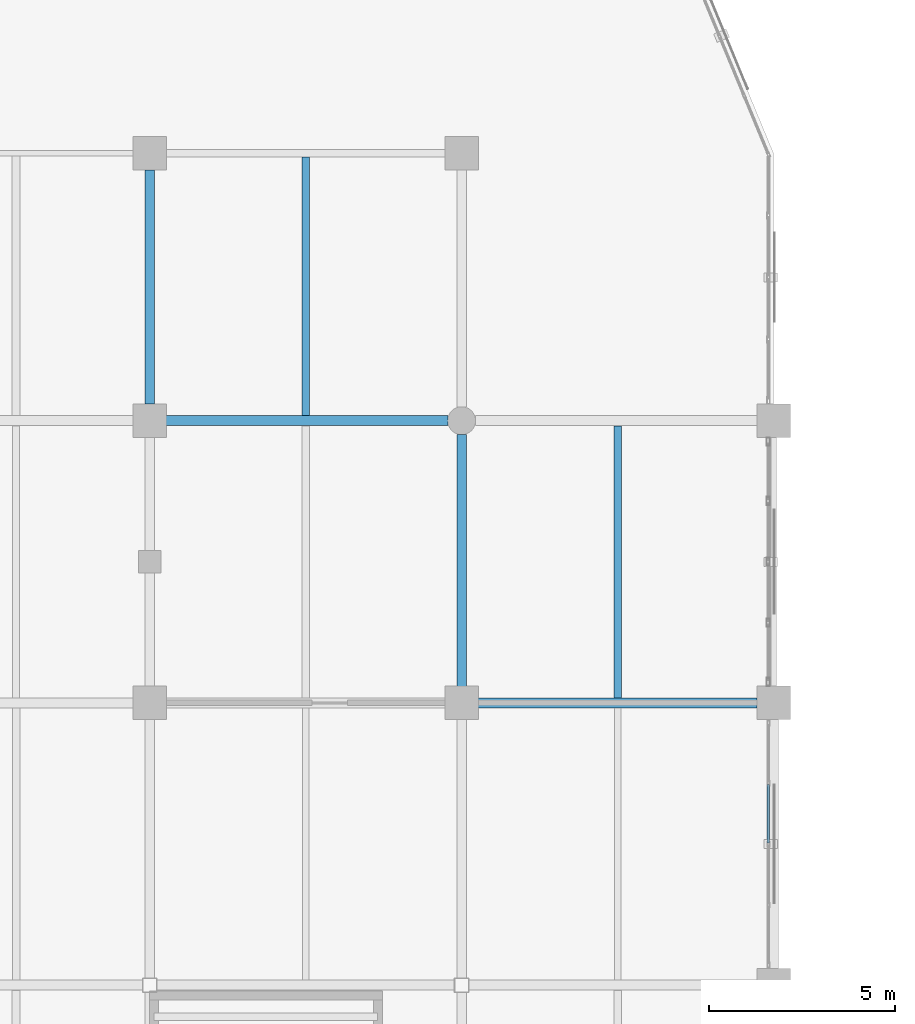
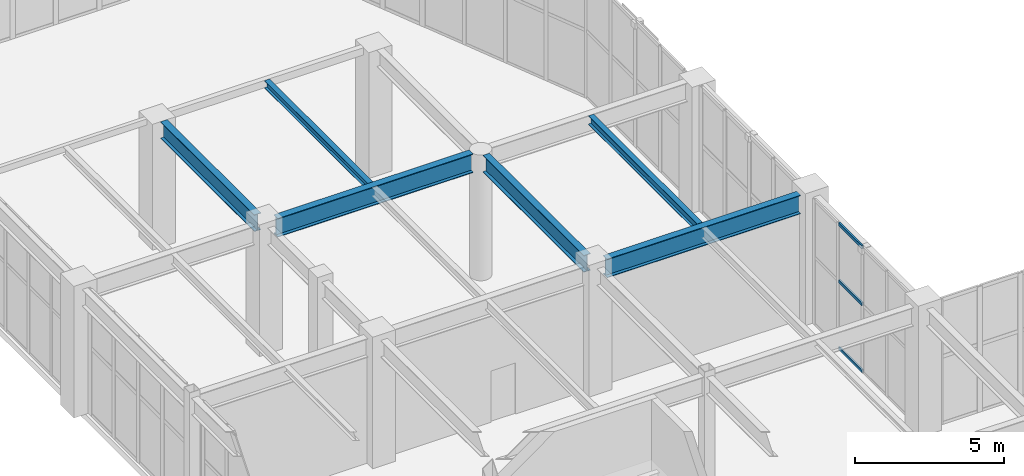
# One storey, part 49 of 139: 6 beams, 3 members, 1 element without a shape of its own.
"""IFC4 building model written with IfcOpenShell, lengths in metres."""

from ifc_helpers import new_model, si_unit, direction, frame, origin, origin_2d, place, context, subcontext, project, spatial, hollow_rectangle, i_section, extrude, material, layer, layer_set, material_profile, profile_set, type_object, element, aggregate, save


model = new_model("IFC4")

# Units and contexts
model_context = context("Model", 3, precision=1e-05, world=origin(), true_north=direction((0.0, 1.0)))
body_context = subcontext(model_context, "Body", "Model", "MODEL_VIEW")
ifc_project = project(units=[si_unit("LENGTHUNIT", "METRE"), si_unit("AREAUNIT", "SQUARE_METRE"), si_unit("VOLUMEUNIT", "CUBIC_METRE"), si_unit("PLANEANGLEUNIT", "RADIAN"), si_unit("MASSUNIT", "GRAM", prefix="KILO")], contexts=[model_context])

# Site, building, storey
site_placement = place(None, origin())
site = spatial("IfcSite", under=ifc_project, at=site_placement, CompositionType="ELEMENT")
building_placement = place(site_placement, origin())
building = spatial("IfcBuilding", under=site, at=building_placement, Name="Xicomal Pleat Aquarium", CompositionType="ELEMENT")
storey_placement = place(building_placement, origin())
storey = spatial("IfcBuildingStorey", under=building, at=storey_placement, Name="L01", CompositionType="ELEMENT", Elevation=0.0)

# Beams
ifc_material_1 = material(Name="Structural steel A992 Gr 50", Category="steel")
ifc_material_profile_1 = material_profile(ifc_material_1, i_section(OverallWidth=0.202880859375, OverallDepth=0.302978515625, WebThickness=0.007568359375, FlangeThickness=0.01318359375, at=origin_2d()), Name="IR 310x60")
ifc_profile_set_1 = profile_set([ifc_material_profile_1], Name="Structural steel A992 Gr 50")
beam_type_1 = type_object("IfcBeamType", Name="BM-STL-IR310", PredefinedType="JOIST", material=ifc_profile_set_1)
beam_1_placement = place(storey_placement, frame((14.39990234375, 91.3369140625, 5.008544921875), z_axis=(0.0, 1.0, 0.0), x_axis=(-1.0, 0.0, 0.0)))
element("IfcBeam", 1, at=beam_1_placement, inside=storey, type_object=beam_type_1, Name="L01 framing beam FBJ-L01-02-N-1", PredefinedType="JOIST", context=body_context, shape_type="SweptSolid", body=[
    extrude(i_section(OverallWidth=0.202880859375, OverallDepth=0.302978515625, WebThickness=0.007568359375, FlangeThickness=0.01318359375, at=origin_2d()), origin(), (0.0, 0.0, 1.0), 6.960205078125),
])
ifc_material_2 = material(Name="Structural steel A992 Gr 50", Category="steel")
ifc_material_profile_2 = material_profile(ifc_material_2, i_section(OverallWidth=0.205078125, OverallDepth=0.35400390625, WebThickness=0.009521484375, FlangeThickness=0.016845703125, at=origin_2d()), Name="IR 360x79")
ifc_profile_set_2 = profile_set([ifc_material_profile_2], Name="Structural steel A992 Gr 50")
beam_type_2 = type_object("IfcBeamType", Name="BM-STL-IR360", PredefinedType="JOIST", material=ifc_profile_set_2)
beam_2_placement = place(storey_placement, frame((22.800048828125, 83.737060546875, 4.98291015625), z_axis=(0.0, 1.0, 0.0), x_axis=(-1.0, 0.0, 0.0)))
element("IfcBeam", 2, at=beam_2_placement, inside=storey, type_object=beam_type_2, Name="L01 framing beam FBJ-L01-03-M-1", PredefinedType="JOIST", context=body_context, shape_type="SweptSolid", body=[
    extrude(i_section(OverallWidth=0.205078125, OverallDepth=0.35400390625, WebThickness=0.009521484375, FlangeThickness=0.016845703125, at=origin_2d()), origin(), (0.0, 0.0, 1.0), 7.325927734375),
])
ifc_material_3 = material(Name="Structural steel A992 Gr 50", Category="steel")
ifc_material_profile_3 = material_profile(ifc_material_3, i_section(OverallWidth=0.256103515625, OverallDepth=0.693115234375, WebThickness=0.014404296875, FlangeThickness=0.023681640625, at=origin_2d()), Name="IR 690x170")
ifc_profile_set_3 = profile_set([ifc_material_profile_3], Name="Structural steel A992 Gr 50")
beam_type_3 = type_object("IfcBeamType", Name="BM-STL-IR690", PredefinedType="BEAM", material=ifc_profile_set_3)
beam_3_placement = place(storey_placement, frame((10.199951171875, 91.64501953125, 4.8134765625), z_axis=(0.0, 1.0, 0.0), x_axis=(-1.0, 0.0, 0.0)))
element("IfcBeam", 3, at=beam_3_placement, inside=storey, type_object=beam_type_3, Name="L01 framing beam FGY-L01-02-N-P", PredefinedType="BEAM", context=body_context, shape_type="SweptSolid", body=[
    extrude(i_section(OverallWidth=0.256103515625, OverallDepth=0.693115234375, WebThickness=0.014404296875, FlangeThickness=0.023681640625, at=origin_2d()), origin(), (0.0, 0.0, 1.0), 6.31005859375),
])
beam_4_placement = place(storey_placement, frame((18.60009765625, 84.044921875, 4.8134765625), z_axis=(0.0, 1.0, 0.0), x_axis=(-1.0, 0.0, 0.0)))
element("IfcBeam", 4, at=beam_4_placement, inside=storey, type_object=beam_type_3, Name="L01 framing beam FGY-L01-03-M-N", PredefinedType="BEAM", context=body_context, shape_type="SweptSolid", body=[
    extrude(i_section(OverallWidth=0.256103515625, OverallDepth=0.693115234375, WebThickness=0.014404296875, FlangeThickness=0.023681640625, at=origin_2d()), origin(), (0.0, 0.0, 1.0), 6.78515625),
])
ifc_material_4 = material(Name="Structural steel A992 Gr 50", Category="steel")
ifc_material_profile_4 = material_profile(ifc_material_4, i_section(OverallWidth=0.26806640625, OverallDepth=0.77001953125, WebThickness=0.015625, FlangeThickness=0.025390625, at=origin_2d()), Name="IR 760x196")
ifc_profile_set_4 = profile_set([ifc_material_profile_4], Name="Structural steel A992 Gr 50")
beam_type_4 = type_object("IfcBeamType", Name="BM-STL-IR760", PredefinedType="BEAM", material=ifc_profile_set_4)
beam_5_placement = place(storey_placement, frame((19.044921875, 83.60009765625, 4.77490234375), z_axis=(1.0, 0.0, 0.0), x_axis=(0.0, 1.0, 0.0)))
element("IfcBeam", 5, at=beam_5_placement, inside=storey, type_object=beam_type_4, Name="L01 framing beam FGX-L01-03-04-M", PredefinedType="BEAM", context=body_context, shape_type="SweptSolid", body=[
    extrude(i_section(OverallWidth=0.26806640625, OverallDepth=0.77001953125, WebThickness=0.015625, FlangeThickness=0.025390625, at=origin_2d()), origin(), (0.0, 0.0, 1.0), 7.510009765625),
])
beam_6_placement = place(storey_placement, frame((10.64501953125, 91.199951171875, 4.77490234375), z_axis=(1.0, 0.0, 0.0), x_axis=(0.0, 1.0, 0.0)))
element("IfcBeam", 6, at=beam_6_placement, inside=storey, type_object=beam_type_4, Name="L01 framing beam FGX-L01-02-03-N", PredefinedType="BEAM", context=body_context, shape_type="SweptSolid", body=[
    extrude(i_section(OverallWidth=0.26806640625, OverallDepth=0.77001953125, WebThickness=0.015625, FlangeThickness=0.025390625, at=origin_2d()), origin(), (0.0, 0.0, 1.0), 7.5849609375),
])

# Curtain wall, members
ifc_material_5 = material(Name="Bronze anodized aluminium 6063-T6", Category="aluminium")
ifc_layer = layer(ifc_material_5, 0.159912109375)
ifc_layer_set = layer_set([ifc_layer], Name="Bronze anodized aluminium 6063-T6")
curtain_wall_type = type_object("IfcCurtainWallType", Name="CW-SYS-01", PredefinedType="NOTDEFINED", material=ifc_layer_set)
curtain_wall_placement = place(storey_placement, origin())
curtain_wall = element("IfcCurtainWall", 7, at=curtain_wall_placement, inside=storey, type_object=curtain_wall_type, Name="L01 unitised curtain wall CW-L01-021", PredefinedType="NOTDEFINED")
ifc_material_6 = material(Name="Bronze anodized aluminium 6063-T6", Category="aluminium")
ifc_material_profile_5 = material_profile(ifc_material_6, hollow_rectangle(XDim=0.06494140625, YDim=0.1298828125, WallThickness=0.00390625, at=origin_2d()), Name="ALU TRAN 65x130")
ifc_profile_set_5 = profile_set([ifc_material_profile_5], Name="Bronze anodized aluminium 6063-T6")
member_type = type_object("IfcMemberType", Name="CWT-65x130", PredefinedType="USERDEFINED", material=ifc_profile_set_5)
member_1_placement = place(storey_placement, frame((26.860107421875, 81.407470703125, 0.032470703125), z_axis=(0.0, -1.0, 0.0), x_axis=(1.0, 0.0, 0.0)))
member_1 = element("IfcMember", 8, at=member_1_placement, type_object=member_type, Name="CW-01 transom 2.1", ObjectType="TRANSOM", PredefinedType="USERDEFINED", context=body_context, shape_type="SweptSolid", body=[
    extrude(hollow_rectangle(XDim=0.06494140625, YDim=0.1298828125, WallThickness=0.00390625, at=origin_2d()), origin(), (0.0, 0.0, 1.0), 1.574951171875),
])
member_2_placement = place(storey_placement, frame((26.860107421875, 81.407470703125, 2.785888671875), z_axis=(0.0, -1.0, 0.0), x_axis=(1.0, 0.0, 0.0)))
member_2 = element("IfcMember", 9, at=member_2_placement, type_object=member_type, Name="CW-01 transom 2.2", ObjectType="TRANSOM", PredefinedType="USERDEFINED", context=body_context, shape_type="SweptSolid", body=[
    extrude(hollow_rectangle(XDim=0.06494140625, YDim=0.1298828125, WallThickness=0.00390625, at=origin_2d()), origin(), (0.0, 0.0, 1.0), 1.574951171875),
])
member_3_placement = place(storey_placement, frame((26.860107421875, 81.407470703125, 5.12744140625), z_axis=(0.0, -1.0, 0.0), x_axis=(1.0, 0.0, 0.0)))
member_3 = element("IfcMember", 10, at=member_3_placement, type_object=member_type, Name="CW-01 transom 2.3", ObjectType="TRANSOM", PredefinedType="USERDEFINED", context=body_context, shape_type="SweptSolid", body=[
    extrude(hollow_rectangle(XDim=0.06494140625, YDim=0.1298828125, WallThickness=0.00390625, at=origin_2d()), origin(), (0.0, 0.0, 1.0), 1.574951171875),
])
aggregate(curtain_wall, [member_1, member_2, member_3])

save(model, "model.ifc")
